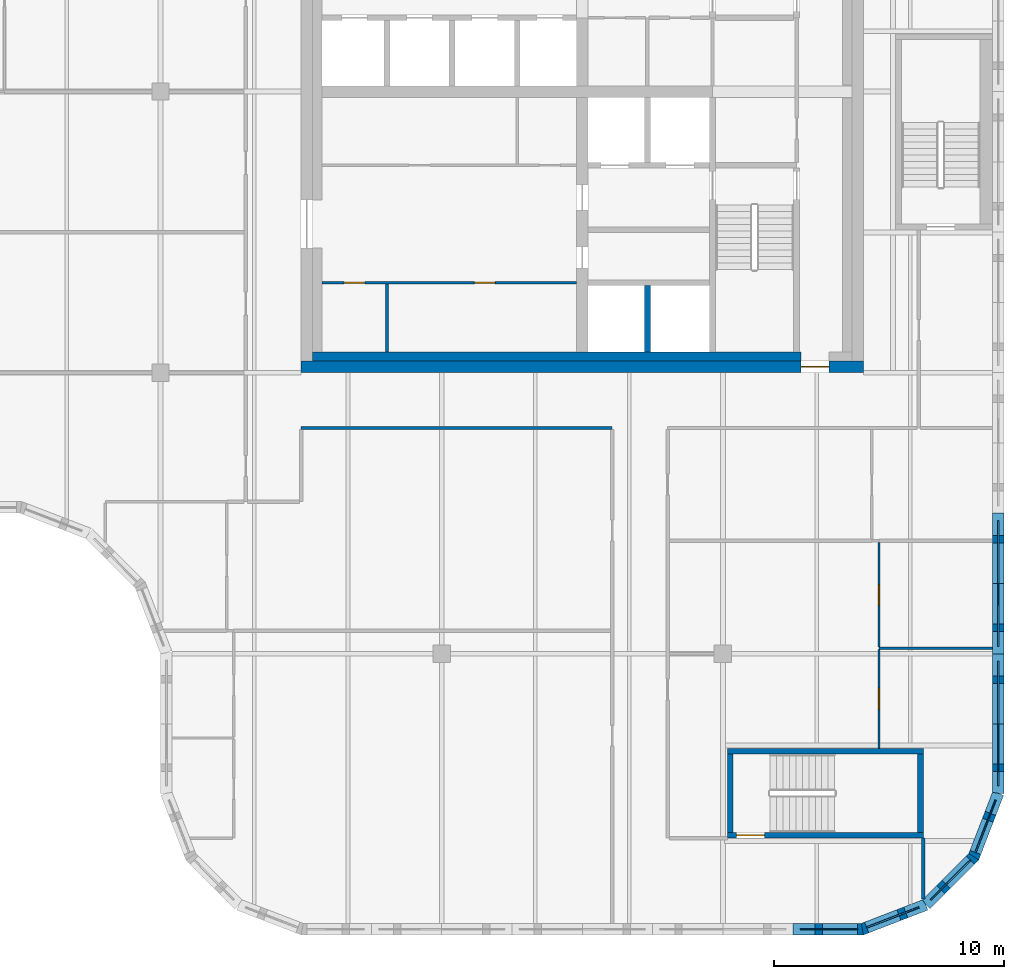
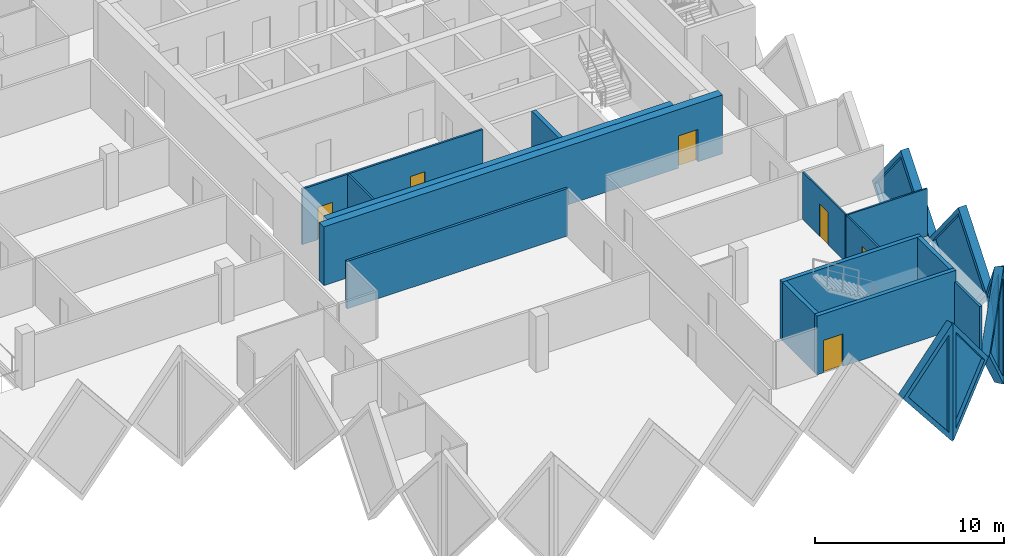
# One storey, part 5 of 12: 20 walls, 6 doors, 6 plates, 12 openings.
"""IFC4 building model written with IfcOpenShell, lengths in metres."""

from ifc_helpers import new_model, si_unit, direction, frame, frame_2d, origin, place, context, subcontext, project, spatial, polyline, rectangle, outline, extrude, faceted_brep, source, transform, mapped, material, layer, layer_set, type_object, element, fill, save


model = new_model("IFC4")

# Units and contexts
model_context = context("Model", 3, precision=1e-05, world=origin(), true_north=direction((0.0, 1.0)))
body_context = subcontext(model_context, "Body", "Model", "MODEL_VIEW")
ifc_project = project(units=[si_unit("LENGTHUNIT", "METRE"), si_unit("AREAUNIT", "SQUARE_METRE"), si_unit("VOLUMEUNIT", "CUBIC_METRE"), si_unit("PLANEANGLEUNIT", "RADIAN"), si_unit("MASSUNIT", "GRAM", prefix="KILO")], contexts=[model_context])

# Site, building, storey
site_placement = place(None, origin())
site = spatial("IfcSite", under=ifc_project, at=site_placement, CompositionType="ELEMENT")
building_placement = place(site_placement, origin())
building = spatial("IfcBuilding", under=site, at=building_placement, Name="Tessera Gate Towers", CompositionType="ELEMENT")
storey_placement = place(building_placement, frame((0.0, 0.0, 213.10009765625)))
storey = spatial("IfcBuildingStorey", under=building, at=storey_placement, Name="L53", CompositionType="ELEMENT", Elevation=213.10009765625)

# Wall
ifc_material_1 = material(Name="Concrete C40/50", Category="concrete")
ifc_layer_1 = layer(ifc_material_1, 0.25)
ifc_layer_set_1 = layer_set([ifc_layer_1], Name="CORE ENCLOSURE WALL 250")
wall_type_1 = type_object("IfcWallType", Name="CORE ENCLOSURE WALL 250", PredefinedType="SOLIDWALL", material=ifc_layer_set_1)
wall_1_placement = place(storey_placement, frame((45.52490234375, 25.300048828125, 0.0), z_axis=(0.0, 0.0, 1.0), x_axis=(0.0, 1.0, 0.0)))
element("IfcWall", 1, at=wall_1_placement, inside=storey, type_object=wall_type_1, Name="L53 shaft and stair enclosure wall", PredefinedType="SOLIDWALL", context=body_context, shape_type="SweptSolid", body=[
    extrude(rectangle(XDim=2.875, YDim=0.25, at=frame_2d((1.4375, 0.0))), origin(), (0.0, 0.0, 1.0), 3.7998046875),
])

# Wall, opening, door
wall_2_placement = place(storey_placement, frame((57.5, 4.324951171875, 0.0), z_axis=(0.0, 0.0, 1.0), x_axis=(-1.0, 0.0, 0.0)))
wall_2 = element("IfcWall", 2, at=wall_2_placement, inside=storey, type_object=wall_type_1, Name="L53 ST4 enclosure wall", PredefinedType="SOLIDWALL", context=body_context, shape_type="SweptSolid", body=[
    extrude(rectangle(XDim=8.5, YDim=0.25, at=frame_2d((4.25, 0.0))), origin(), (0.0, 0.0, 1.0), 3.7998046875),
])
shared_shape_1 = source(origin(), body_context, "Body", "SweptSolid", [
    extrude(rectangle(XDim=1.199951171875, YDim=2.10009765625, at=frame_2d((0.60009765625, 1.050048828125))), frame((0.0, 0.135009765625, 0.0), z_axis=(0.0, -1.0, 0.0), x_axis=(1.0, 0.0, 0.0)), (0.0, 0.0, 1.0), 0.27001953125),
])
opening_1_placement = place(wall_2_placement, frame((6.89990234375, 0.0, 0.0)))
opening_1 = element("IfcOpeningElement", 3, at=opening_1_placement, cuts=wall_2, Name="Opening SD-ST4-1", PredefinedType="OPENING", context=body_context, shape_type="MappedRepresentation", body=[
    mapped(shared_shape_1, transform((0.0, 0.0, 0.0), scale=1.0)),
])
ifc_material_2 = material(Name="Hollow steel fire door", Category="steel")
door_type_1 = type_object("IfcDoorType", Name="CORE DOOR SD 1200x2100", OperationType="NOTDEFINED", PredefinedType="DOOR", material=ifc_material_2)
shared_shape_2 = source(origin(), body_context, "Body", "SweptSolid", [
    extrude(rectangle(XDim=1.199951171875, YDim=2.10009765625, at=frame_2d((0.60009765625, 1.050048828125))), frame((0.0, 0.02490234375, 0.0), z_axis=(0.0, -1.0, 0.0), x_axis=(1.0, 0.0, 0.0)), (0.0, 0.0, 1.0), 0.050048828125),
])
door_1_placement = place(opening_1_placement, origin())
door_1 = element("IfcDoor", 4, at=door_1_placement, inside=storey, type_object=door_type_1, Name="Stair door", OperationType="SINGLE_SWING_RIGHT", OverallHeight=2.10009765625, OverallWidth=1.199951171875, PredefinedType="DOOR", context=body_context, shape_type="MappedRepresentation", body=[
    mapped(shared_shape_2, transform((0.0, 0.0, 0.0), scale=1.0)),
])
fill(opening_1, door_1)

# Walls
wall_3_placement = place(storey_placement, frame((49.125, 4.449951171875, 0.0), z_axis=(0.0, 0.0, 1.0), x_axis=(0.0, 1.0, 0.0)))
element("IfcWall", 5, at=wall_3_placement, inside=storey, type_object=wall_type_1, Name="L53 ST4 enclosure wall", PredefinedType="SOLIDWALL", context=body_context, shape_type="SweptSolid", body=[
    extrude(rectangle(XDim=3.400146484375, YDim=0.25, at=frame_2d((1.7001953125, 0.0))), origin(), (0.0, 0.0, 1.0), 3.7998046875),
])
wall_4_placement = place(storey_placement, frame((49.0, 7.97509765625, 0.0), z_axis=(0.0, 0.0, 1.0), x_axis=(1.0, 0.0, 0.0)))
element("IfcWall", 6, at=wall_4_placement, inside=storey, type_object=wall_type_1, Name="L53 ST4 enclosure wall", PredefinedType="SOLIDWALL", context=body_context, shape_type="SweptSolid", body=[
    extrude(rectangle(XDim=8.5, YDim=0.25, at=frame_2d((4.25, 0.0))), origin(), (0.0, 0.0, 1.0), 3.7998046875),
])
wall_5_placement = place(storey_placement, frame((57.375, 7.85009765625, 0.0), z_axis=(0.0, 0.0, 1.0), x_axis=(0.0, -1.0, 0.0)))
element("IfcWall", 7, at=wall_5_placement, inside=storey, type_object=wall_type_1, Name="L53 ST4 enclosure wall", PredefinedType="SOLIDWALL", context=body_context, shape_type="SweptSolid", body=[
    extrude(rectangle(XDim=3.400146484375, YDim=0.25, at=frame_2d((1.7001953125, 0.0))), origin(), (0.0, 0.0, 1.0), 3.7998046875),
])

# Wall, openings, doors
ifc_material_3 = material(Name="Gypsum board on steel studs", Category="steel")
ifc_layer_2 = layer(ifc_material_3, 0.1201171875)
ifc_layer_set_2 = layer_set([ifc_layer_2], Name="CORE PARTITION 120")
wall_type_2 = type_object("IfcWallType", Name="CORE PARTITION 120", PredefinedType="PARTITIONING", material=ifc_layer_set_2)
wall_6_placement = place(storey_placement, frame((42.449951171875, 28.300048828125, 0.0), z_axis=(0.0, 0.0, 1.0), x_axis=(-1.0, 0.0, 0.0)))
wall_6 = element("IfcWall", 8, at=wall_6_placement, inside=storey, type_object=wall_type_2, Name="L53 core partition", PredefinedType="PARTITIONING", context=body_context, shape_type="SweptSolid", body=[
    extrude(rectangle(XDim=11.050048828125, YDim=0.1201171875, at=frame_2d((5.52490234375, 0.0))), origin(), (0.0, 0.0, 1.0), 3.599853515625),
])
shared_shape_3 = source(origin(), body_context, "Body", "SweptSolid", [
    extrude(rectangle(XDim=0.89990234375, YDim=2.10009765625, at=frame_2d((0.449951171875, 1.050048828125))), frame((0.0, 0.070068359375, 0.0), z_axis=(0.0, -1.0, 0.0), x_axis=(1.0, 0.0, 0.0)), (0.0, 0.0, 1.0), 0.14013671875),
])
opening_2_placement = place(wall_6_placement, frame((9.1875, 0.0, 0.0)))
opening_2 = element("IfcOpeningElement", 9, at=opening_2_placement, cuts=wall_6, Name="Opening RD-T1-32-07", PredefinedType="OPENING", context=body_context, shape_type="MappedRepresentation", body=[
    mapped(shared_shape_3, transform((0.0, 0.0, 0.0), scale=1.0)),
])
opening_3_placement = place(wall_6_placement, frame((3.53759765625, 0.0, 0.0)))
opening_3 = element("IfcOpeningElement", 10, at=opening_3_placement, cuts=wall_6, Name="Opening RD-T1-32-08", PredefinedType="OPENING", context=body_context, shape_type="MappedRepresentation", body=[
    mapped(shared_shape_3, transform((0.0, 0.0, 0.0), scale=1.0)),
])
ifc_material_4 = material(Name="Hollow steel fire door", Category="steel")
door_type_2 = type_object("IfcDoorType", Name="CORE DOOR RD 900x2100", OperationType="NOTDEFINED", PredefinedType="DOOR", material=ifc_material_4)
shared_shape_4 = source(origin(), body_context, "Body", "SweptSolid", [
    extrude(rectangle(XDim=0.89990234375, YDim=2.10009765625, at=frame_2d((0.449951171875, 1.050048828125))), frame((0.0, 0.02490234375, 0.0), z_axis=(0.0, -1.0, 0.0), x_axis=(1.0, 0.0, 0.0)), (0.0, 0.0, 1.0), 0.050048828125),
])
door_2_placement = place(opening_2_placement, origin())
door_2 = element("IfcDoor", 11, at=door_2_placement, inside=storey, type_object=door_type_2, Name="Core room door", OperationType="SINGLE_SWING_RIGHT", OverallHeight=2.10009765625, OverallWidth=0.89990234375, PredefinedType="DOOR", context=body_context, shape_type="MappedRepresentation", body=[
    mapped(shared_shape_4, transform((0.0, 0.0, 0.0), scale=1.0)),
])
fill(opening_2, door_2)
door_3_placement = place(opening_3_placement, origin())
door_3 = element("IfcDoor", 12, at=door_3_placement, inside=storey, type_object=door_type_2, Name="Core room door", OperationType="SINGLE_SWING_LEFT", OverallHeight=2.10009765625, OverallWidth=0.89990234375, PredefinedType="DOOR", context=body_context, shape_type="MappedRepresentation", body=[
    mapped(shared_shape_4, transform((0.0, 0.0, 0.0), scale=1.0)),
])
fill(opening_3, door_3)

# Wall
wall_7_placement = place(storey_placement, frame((34.22509765625, 25.300048828125, 0.0), z_axis=(0.0, 0.0, 1.0), x_axis=(0.0, 1.0, 0.0)))
element("IfcWall", 13, at=wall_7_placement, inside=storey, type_object=wall_type_2, Name="L53 core partition", PredefinedType="PARTITIONING", context=body_context, shape_type="SweptSolid", body=[
    extrude(rectangle(XDim=2.93994140625, YDim=0.1201171875, at=frame_2d((1.469970703125, 0.0))), origin(), (0.0, 0.0, 1.0), 3.599853515625),
])

# Wall, opening, door
ifc_material_5 = material(Name="Concrete C50/60", Category="concrete")
ifc_layer_3 = layer(ifc_material_5, 0.5)
ifc_layer_set_3 = layer_set([ifc_layer_3], Name="CORE SHEAR WALL 500 C50/60")
wall_type_3 = type_object("IfcWallType", Name="CORE SHEAR WALL 500 C50/60", PredefinedType="SHEAR", material=ifc_layer_set_3)
wall_8_placement = place(storey_placement, frame((54.89990234375, 24.64990234375, 0.0), z_axis=(0.0, 0.0, 1.0), x_axis=(-1.0, 0.0, 0.0)))
wall_8 = element("IfcWall", 14, at=wall_8_placement, inside=storey, type_object=wall_type_3, Name="Core wall S L53", PredefinedType="SHEAR", context=body_context, shape_type="SweptSolid", body=[
    extrude(rectangle(XDim=24.39990234375, YDim=0.5, at=frame_2d((12.199951171875, 0.0))), origin(), (0.0, 0.0, 1.0), 3.7998046875),
])
shared_shape_5 = source(origin(), body_context, "Body", "SweptSolid", [
    extrude(rectangle(XDim=1.199951171875, YDim=2.10009765625, at=frame_2d((0.60009765625, 1.050048828125))), frame((0.0, 0.260009765625, 0.0), z_axis=(0.0, -1.0, 0.0), x_axis=(1.0, 0.0, 0.0)), (0.0, 0.0, 1.0), 0.52001953125),
])
opening_4_placement = place(wall_8_placement, frame((1.5, 0.0, 0.0)))
opening_4 = element("IfcOpeningElement", 15, at=opening_4_placement, cuts=wall_8, Name="Opening ED-T1-32-01", PredefinedType="OPENING", context=body_context, shape_type="MappedRepresentation", body=[
    mapped(shared_shape_5, transform((0.0, 0.0, 0.0), scale=1.0)),
])
ifc_material_6 = material(Name="Hollow steel fire door", Category="steel")
door_type_3 = type_object("IfcDoorType", Name="CORE DOOR ED 1200x2100", OperationType="NOTDEFINED", PredefinedType="DOOR", material=ifc_material_6)
door_4_placement = place(opening_4_placement, origin())
door_4 = element("IfcDoor", 16, at=door_4_placement, inside=storey, type_object=door_type_3, Name="Core exit door", OperationType="SINGLE_SWING_LEFT", OverallHeight=2.10009765625, OverallWidth=1.199951171875, PredefinedType="DOOR", context=body_context, shape_type="MappedRepresentation", body=[
    mapped(shared_shape_2, transform((0.0, 0.0, 0.0), scale=1.0)),
])
fill(opening_4, door_4)

# Walls
ifc_material_7 = material(Name="Concrete C50/60", Category="concrete")
ifc_layer_4 = layer(ifc_material_7, 0.39990234375)
ifc_layer_set_4 = layer_set([ifc_layer_4], Name="CORE WALL THICKENING 400")
wall_type_4 = type_object("IfcWallType", Name="CORE WALL THICKENING 400", PredefinedType="SOLIDWALL", material=ifc_layer_set_4)
wall_9_placement = place(storey_placement, frame((31.0, 25.10009765625, 0.0), z_axis=(0.0, 0.0, 1.0), x_axis=(1.0, 0.0, 0.0)))
element("IfcWall", 17, at=wall_9_placement, inside=storey, type_object=wall_type_4, Name="Core wall thickening S L53", PredefinedType="SOLIDWALL", context=body_context, shape_type="SweptSolid", body=[
    extrude(rectangle(XDim=21.199951171875, YDim=0.39990234375, at=frame_2d((10.60009765625, 0.0))), origin(), (0.0, 0.0, 1.0), 3.7998046875),
])
ifc_material_8 = material(Name="Gypsum board on steel studs, mineral wool", Category="steel")
ifc_layer_5 = layer(ifc_material_8, 0.14990234375)
ifc_layer_set_5 = layer_set([ifc_layer_5], Name="CORRIDOR WALL 150")
wall_type_5 = type_object("IfcWallType", Name="CORRIDOR WALL 150", PredefinedType="PARTITIONING", material=ifc_layer_set_5)
wall_10_placement = place(storey_placement, frame((57.5, 1.55908203125, 0.0), z_axis=(0.0, 0.0, 1.0), x_axis=(0.0, 1.0, 0.0)))
element("IfcWall", 18, at=wall_10_placement, inside=storey, type_object=wall_type_5, Name="T1-L53-PW-002", PredefinedType="PARTITIONING", context=body_context, shape_type="SweptSolid", body=[
    extrude(rectangle(XDim=2.640869140625, YDim=0.14990234375, at=frame_2d((1.3203125, 0.0))), origin(), (0.0, 0.0, 1.0), 3.06689453125),
])
wall_11_placement = place(storey_placement, frame((30.5, 22.0, 0.0), z_axis=(0.0, 0.0, 1.0), x_axis=(1.0, 0.0, 0.0)))
element("IfcWall", 19, at=wall_11_placement, inside=storey, type_object=wall_type_5, Name="T1-L53-PW-028", PredefinedType="PARTITIONING", context=body_context, shape_type="SweptSolid", body=[
    extrude(rectangle(XDim=13.5, YDim=0.14990234375, at=frame_2d((6.75, 0.0))), origin(), (0.0, 0.0, 1.0), 3.06689453125),
])

# Wall, opening, door
ifc_material_9 = material(Name="Gypsum board on steel studs", Category="steel")
ifc_layer_6 = layer(ifc_material_9, 0.10009765625)
ifc_layer_set_6 = layer_set([ifc_layer_6], Name="PARTITION 100")
wall_type_6 = type_object("IfcWallType", Name="PARTITION 100", PredefinedType="PARTITIONING", material=ifc_layer_set_6)
wall_12_placement = place(storey_placement, frame((55.574951171875, 12.396728515625, 0.0), z_axis=(0.0, 0.0, 1.0), x_axis=(0.0, -1.0, 0.0)))
wall_12 = element("IfcWall", 20, at=wall_12_placement, inside=storey, type_object=wall_type_6, Name="T1-L53-PW-007", PredefinedType="PARTITIONING", context=body_context, shape_type="SweptSolid", body=[
    extrude(rectangle(XDim=4.296630859375, YDim=0.10009765625, at=frame_2d((2.1484375, 0.0))), origin(), (0.0, 0.0, 1.0), 3.06689453125),
])
shared_shape_6 = source(origin(), body_context, "Body", "SweptSolid", [
    extrude(rectangle(XDim=0.89990234375, YDim=2.10009765625, at=frame_2d((0.449951171875, 1.050048828125))), frame((0.0, 0.06005859375, 0.0), z_axis=(0.0, -1.0, 0.0), x_axis=(1.0, 0.0, 0.0)), (0.0, 0.0, 1.0), 0.1201171875),
])
opening_5_placement = place(wall_12_placement, frame((1.69677734375, 0.0, 0.0)))
opening_5 = element("IfcOpeningElement", 21, at=opening_5_placement, cuts=wall_12, Name="Opening D190-A19-01", PredefinedType="OPENING", context=body_context, shape_type="MappedRepresentation", body=[
    mapped(shared_shape_6, transform((0.0, 0.0, 0.0), scale=1.0)),
])
ifc_material_10 = material(Name="Timber door leaf in steel frame", Category="steel")
door_type_4 = type_object("IfcDoorType", Name="INTERNAL DOOR 900 NOT RATED", OperationType="NOTDEFINED", PredefinedType="DOOR", material=ifc_material_10)
door_5_placement = place(opening_5_placement, origin())
door_5 = element("IfcDoor", 22, at=door_5_placement, inside=storey, type_object=door_type_4, Name="T1-L53-PD-002", OperationType="SINGLE_SWING_RIGHT", OverallHeight=2.10009765625, OverallWidth=0.89990234375, PredefinedType="DOOR", context=body_context, shape_type="MappedRepresentation", body=[
    mapped(shared_shape_4, transform((0.0, 0.0, 0.0), scale=1.0)),
])
fill(opening_5, door_5)

# Wall
wall_13_placement = place(storey_placement, frame((55.574951171875, 12.447998046875, 0.0), z_axis=(0.0, 0.0, 1.0), x_axis=(1.0, 0.0, 0.0)))
element("IfcWall", 23, at=wall_13_placement, inside=storey, type_object=wall_type_6, Name="T1-L53-PW-011", PredefinedType="PARTITIONING", context=body_context, shape_type="SweptSolid", body=[
    extrude(rectangle(XDim=4.925048828125, YDim=0.10009765625, at=frame_2d((2.46240234375, 0.0))), origin(), (0.0, 0.0, 1.0), 3.06689453125),
])

# Wall, opening, door
wall_14_placement = place(storey_placement, frame((55.574951171875, 17.02392578125, 0.0), z_axis=(0.0, 0.0, 1.0), x_axis=(0.0, -1.0, 0.0)))
wall_14 = element("IfcWall", 24, at=wall_14_placement, inside=storey, type_object=wall_type_6, Name="T1-L53-PW-012", PredefinedType="PARTITIONING", context=body_context, shape_type="SweptSolid", body=[
    extrude(rectangle(XDim=4.525146484375, YDim=0.10009765625, at=frame_2d((2.2626953125, 0.0))), origin(), (0.0, 0.0, 1.0), 3.06689453125),
])
opening_6_placement = place(wall_14_placement, frame((1.8251953125, 0.0, 0.0)))
opening_6 = element("IfcOpeningElement", 25, at=opening_6_placement, cuts=wall_14, Name="Opening D190-A19-02", PredefinedType="OPENING", context=body_context, shape_type="MappedRepresentation", body=[
    mapped(shared_shape_6, transform((0.0, 0.0, 0.0), scale=1.0)),
])
door_6_placement = place(opening_6_placement, origin())
door_6 = element("IfcDoor", 26, at=door_6_placement, inside=storey, type_object=door_type_4, Name="T1-L53-PD-004", OperationType="SINGLE_SWING_RIGHT", OverallHeight=2.10009765625, OverallWidth=0.89990234375, PredefinedType="DOOR", context=body_context, shape_type="MappedRepresentation", body=[
    mapped(shared_shape_4, transform((0.0, 0.0, 0.0), scale=1.0)),
])
fill(opening_6, door_6)

# Wall, opening, plate
ifc_material_11 = material(Name="Precast concrete C60/75 white", Category="concrete")
ifc_layer_7 = layer(ifc_material_11, 0.5)
ifc_layer_set_7 = layer_set([ifc_layer_7], Name="TS1 tessera")
wall_type_7 = type_object("IfcWallType", Name="TS1 tessera", PredefinedType="SOLIDWALL", material=ifc_layer_set_7)
shared_shape_7 = source(origin(), body_context, "Body", "Brep", [
    faceted_brep([(3.00341796875, -0.25, 0.0), (6.053466796875, -0.25, 3.800048828125), (3.00341796875, -0.25, 7.599853515625), (0.0, -0.25, 3.800048828125), (0.046630859375, 0.25, 3.85888671875), (3.00341796875, 0.25, 7.599853515625), (6.053466796875, 0.25, 3.800048828125), (3.00341796875, 0.25, 0.0), (0.046630859375, 0.25, 3.7412109375), (0.0, 0.0, 3.800048828125)], [[[0, 1, 2, 3]], [[4, 5, 6, 7, 8]], [[7, 6, 1, 0]], [[6, 5, 2, 1]], [[5, 4, 9, 3, 2]], [[8, 7, 0, 3, 9]], [[8, 9, 4]]]),
])
wall_15_placement = place(storey_placement, frame((60.75, 6.146484375, -3.800048828125), z_axis=(0.0, 0.0, 1.0), x_axis=(0.0, 1.0, 0.0)))
wall_15 = element("IfcWall", 27, at=wall_15_placement, inside=storey, type_object=wall_type_7, Name="Precast tessera T1 TS1-0923", PredefinedType="SOLIDWALL", context=body_context, shape_type="MappedRepresentation", body=[
    mapped(shared_shape_7, transform((0.0, 0.0, 0.0), scale=1.0)),
])
shared_shape_8 = source(origin(), body_context, "Body", "SweptSolid", [
    extrude(outline(polyline([(3.0048828125, 0.401123046875), (5.73291015625, 3.800048828125), (3.0048828125, 7.19873046875), (0.318603515625, 3.800048828125), (3.0048828125, 0.401123046875)])), frame((0.0, 0.260009765625, 0.0), z_axis=(0.0, -1.0, 0.0), x_axis=(1.0, 0.0, 0.0)), (0.0, 0.0, 1.0), 0.52001953125),
])
opening_7_placement = place(wall_15_placement, origin())
opening_7 = element("IfcOpeningElement", 28, at=opening_7_placement, cuts=wall_15, Name="Opening T1-PL2-1889", PredefinedType="OPENING", context=body_context, shape_type="MappedRepresentation", body=[
    mapped(shared_shape_8, transform((0.0, 0.0, 0.0), scale=1.0)),
])
ifc_material_12 = material(Name="Low-e laminated glass", Category="glass")
ifc_layer_8 = layer(ifc_material_12, 0.06005859375)
ifc_layer_set_8 = layer_set([ifc_layer_8], Name="PL2 rhombic pane")
plate_type = type_object("IfcPlateType", Name="PL2 rhombic pane", PredefinedType="SHEET", material=ifc_layer_set_8)
shared_shape_9 = source(origin(), body_context, "Body", "SweptSolid", [
    extrude(outline(polyline([(3.0048828125, 0.401123046875), (5.73291015625, 3.800048828125), (3.0048828125, 7.19873046875), (0.318603515625, 3.800048828125), (3.0048828125, 0.401123046875)])), frame((0.0, 0.030029296875, 0.0), z_axis=(0.0, -1.0, 0.0), x_axis=(1.0, 0.0, 0.0)), (0.0, 0.0, 1.0), 0.06005859375),
])
plate_1_placement = place(opening_7_placement, origin())
plate_1 = element("IfcPlate", 29, at=plate_1_placement, inside=storey, type_object=plate_type, Name="Glass pane T1 PL2-1889", PredefinedType="SHEET", context=body_context, shape_type="MappedRepresentation", body=[
    mapped(shared_shape_9, transform((0.0, 0.0, 0.0), scale=1.0)),
])
fill(opening_7, plate_1)

shared_shape_10 = source(origin(), body_context, "Body", "SweptSolid", [
    extrude(outline(polyline([(3.050048828125, 0.0), (6.10009765625, 3.800048828125), (3.050048828125, 7.599853515625), (0.0, 3.800048828125), (3.050048828125, 0.0)])), frame((0.0, 0.25, 0.0), z_axis=(0.0, -1.0, 0.0), x_axis=(1.0, 0.0, 0.0)), (0.0, 0.0, 1.0), 0.5),
])
wall_16_placement = place(storey_placement, frame((60.75, 12.199951171875, -3.800048828125), z_axis=(0.0, 0.0, 1.0), x_axis=(0.0, 1.0, 0.0)))
wall_16 = element("IfcWall", 30, at=wall_16_placement, inside=storey, type_object=wall_type_7, Name="Precast tessera T1 TS1-0924", PredefinedType="SOLIDWALL", context=body_context, shape_type="MappedRepresentation", body=[
    mapped(shared_shape_10, transform((0.0, 0.0, 0.0), scale=1.0)),
])
shared_shape_11 = source(origin(), body_context, "Body", "SweptSolid", [
    extrude(outline(polyline([(3.050048828125, 0.3994140625), (5.779541015625, 3.800048828125), (3.050048828125, 7.200439453125), (0.320556640625, 3.800048828125), (3.050048828125, 0.3994140625)])), frame((0.0, 0.260009765625, 0.0), z_axis=(0.0, -1.0, 0.0), x_axis=(1.0, 0.0, 0.0)), (0.0, 0.0, 1.0), 0.52001953125),
])
opening_8_placement = place(wall_16_placement, origin())
opening_8 = element("IfcOpeningElement", 31, at=opening_8_placement, cuts=wall_16, Name="Opening T1-PL2-1890", PredefinedType="OPENING", context=body_context, shape_type="MappedRepresentation", body=[
    mapped(shared_shape_11, transform((0.0, 0.0, 0.0), scale=1.0)),
])
shared_shape_12 = source(origin(), body_context, "Body", "SweptSolid", [
    extrude(outline(polyline([(3.050048828125, 0.3994140625), (5.779541015625, 3.800048828125), (3.050048828125, 7.200439453125), (0.320556640625, 3.800048828125), (3.050048828125, 0.3994140625)])), frame((0.0, 0.030029296875, 0.0), z_axis=(0.0, -1.0, 0.0), x_axis=(1.0, 0.0, 0.0)), (0.0, 0.0, 1.0), 0.06005859375),
])
plate_2_placement = place(opening_8_placement, origin())
plate_2 = element("IfcPlate", 32, at=plate_2_placement, inside=storey, type_object=plate_type, Name="Glass pane T1 PL2-1890", PredefinedType="SHEET", context=body_context, shape_type="MappedRepresentation", body=[
    mapped(shared_shape_12, transform((0.0, 0.0, 0.0), scale=1.0)),
])
fill(opening_8, plate_2)

ifc_material_13 = material(Name="Precast concrete C60/75 white", Category="concrete")
ifc_layer_9 = layer(ifc_material_13, 0.5)
ifc_layer_set_9 = layer_set([ifc_layer_9], Name="TS3 corner tessera")
wall_type_8 = type_object("IfcWallType", Name="TS3 corner tessera", PredefinedType="SOLIDWALL", material=ifc_layer_set_9)
shared_shape_13 = source(origin(), body_context, "Body", "Brep", [
    faceted_brep([(3.00341796875, -0.25, 0.0), (3.050048828125, -0.25, 0.06005859375), (3.050048828125, -0.25, 7.539794921875), (3.00341796875, -0.25, 7.599853515625), (0.0, -0.25, 3.800048828125), (0.0, 0.25, 3.800048828125), (2.956787109375, 0.25, 7.541015625), (2.956787109375, 0.25, 0.058837890625), (3.00341796875, 0.000244140625, 0.0), (3.00341796875, 0.000244140625, 7.599853515625)], [[[0, 1, 2, 3, 4]], [[5, 6, 7]], [[1, 0, 8]], [[9, 3, 2]], [[6, 5, 4, 3, 9]], [[5, 7, 8, 0, 4]], [[1, 8, 7, 6, 9, 2]]]),
])
wall_17_placement = place(storey_placement, frame((51.85009765625, 0.25, -3.800048828125), z_axis=(0.0, 0.0, 1.0), x_axis=(1.0, 0.0, 0.0)))
wall_17 = element("IfcWall", 33, at=wall_17_placement, inside=storey, type_object=wall_type_8, Name="Precast corner tessera T1 TS3-1227", PredefinedType="SOLIDWALL", context=body_context, shape_type="MappedRepresentation", body=[
    mapped(shared_shape_13, transform((0.0, 0.0, 0.0), scale=1.0)),
])
shared_shape_14 = source(origin(), body_context, "Body", "SweptSolid", [
    extrude(outline(polyline([(2.803466796875, 6.94384765625), (0.318603515625, 3.800048828125), (2.803466796875, 0.65625), (2.803466796875, 6.94384765625)])), frame((0.0, 0.260009765625, 0.0), z_axis=(0.0, -1.0, 0.0), x_axis=(1.0, 0.0, 0.0)), (0.0, 0.0, 1.0), 0.52001953125),
])
opening_9_placement = place(wall_17_placement, origin())
opening_9 = element("IfcOpeningElement", 34, at=opening_9_placement, cuts=wall_17, Name="Opening T1-PL2-1885", PredefinedType="OPENING", context=body_context, shape_type="MappedRepresentation", body=[
    mapped(shared_shape_14, transform((0.0, 0.0, 0.0), scale=1.0)),
])
shared_shape_15 = source(origin(), body_context, "Body", "SweptSolid", [
    extrude(outline(polyline([(2.803466796875, 6.94384765625), (0.318603515625, 3.800048828125), (2.803466796875, 0.65625), (2.803466796875, 6.94384765625)])), frame((0.0, 0.030029296875, 0.0), z_axis=(0.0, -1.0, 0.0), x_axis=(1.0, 0.0, 0.0)), (0.0, 0.0, 1.0), 0.06005859375),
])
plate_3_placement = place(opening_9_placement, origin())
plate_3 = element("IfcPlate", 35, at=plate_3_placement, inside=storey, type_object=plate_type, Name="Glass pane T1 PL2-1885", PredefinedType="SHEET", context=body_context, shape_type="MappedRepresentation", body=[
    mapped(shared_shape_15, transform((0.0, 0.0, 0.0), scale=1.0)),
])
fill(opening_9, plate_3)

shared_shape_16 = source(origin(), body_context, "Body", "Brep", [
    faceted_brep([(0.046630859375, -0.25, 0.0), (2.9970703125, -0.25, 3.800048828125), (0.046630859375, -0.25, 7.599853515625), (0.0, -0.25, 7.541015625), (0.0, -0.25, 0.058837890625), (0.09326171875, 0.25, 7.539794921875), (2.9443359375, 0.25, 3.8681640625), (2.9443359375, 0.25, 3.73193359375), (0.09326171875, 0.25, 0.06005859375), (2.9970703125, 0.00048828125, 3.800048828125), (0.046630859375, 0.0, 0.0), (0.046630859375, 0.0, 7.599853515625)], [[[0, 1, 2, 3, 4]], [[5, 6, 7, 8]], [[8, 7, 9, 1, 0, 10]], [[6, 5, 11, 2, 1, 9]], [[3, 2, 11]], [[10, 0, 4]], [[8, 10, 4, 3, 11, 5]], [[7, 6, 9]]]),
])
wall_18_placement = place(storey_placement, frame((54.81005859375, 0.233154296875, -3.800048828125), z_axis=(0.0, 0.0, 1.0), x_axis=(0.932990326376, 0.359901446078, 0.0)))
wall_18 = element("IfcWall", 36, at=wall_18_placement, inside=storey, type_object=wall_type_8, Name="Precast corner tessera T1 TS3-1228", PredefinedType="SOLIDWALL", context=body_context, shape_type="MappedRepresentation", body=[
    mapped(shared_shape_16, transform((0.0, 0.0, 0.0), scale=1.0)),
])
shared_shape_17 = source(origin(), body_context, "Body", "SweptSolid", [
    extrude(outline(polyline([(0.24658203125, 0.665283203125), (2.6806640625, 3.800048828125), (0.24658203125, 6.934814453125), (0.24658203125, 0.665283203125)])), frame((0.0, 0.260009765625, 0.0), z_axis=(0.0, -1.0, 0.0), x_axis=(1.0, 0.0, 0.0)), (0.0, 0.0, 1.0), 0.52001953125),
])
opening_10_placement = place(wall_18_placement, origin())
opening_10 = element("IfcOpeningElement", 37, at=opening_10_placement, cuts=wall_18, Name="Opening T1-PL2-1886", PredefinedType="OPENING", context=body_context, shape_type="MappedRepresentation", body=[
    mapped(shared_shape_17, transform((0.0, 0.0, 0.0), scale=1.0)),
])
shared_shape_18 = source(origin(), body_context, "Body", "SweptSolid", [
    extrude(outline(polyline([(0.24658203125, 0.665283203125), (2.6806640625, 3.800048828125), (0.24658203125, 6.934814453125), (0.24658203125, 0.665283203125)])), frame((0.0, 0.030029296875, 0.0), z_axis=(0.0, -1.0, 0.0), x_axis=(1.0, 0.0, 0.0)), (0.0, 0.0, 1.0), 0.06005859375),
])
plate_4_placement = place(opening_10_placement, origin())
plate_4 = element("IfcPlate", 38, at=plate_4_placement, inside=storey, type_object=plate_type, Name="Glass pane T1 PL2-1886", PredefinedType="SHEET", context=body_context, shape_type="MappedRepresentation", body=[
    mapped(shared_shape_18, transform((0.0, 0.0, 0.0), scale=1.0)),
])
fill(opening_10, plate_4)

shared_shape_19 = source(origin(), body_context, "Body", "Brep", [
    faceted_brep([(2.944091796875, -0.25, 0.0), (2.9970703125, -0.25, 0.068115234375), (2.9970703125, -0.25, 7.53173828125), (2.944091796875, -0.25, 7.599853515625), (0.0, -0.25, 3.800048828125), (0.052978515625, 0.25, 3.868408203125), (2.89111328125, 0.25, 7.53173828125), (2.89111328125, 0.25, 0.068115234375), (0.052978515625, 0.25, 3.731689453125), (2.944091796875, 0.000244140625, 0.0), (2.944091796875, 0.000244140625, 7.599853515625), (0.0, 0.0, 3.800048828125)], [[[0, 1, 2, 3, 4]], [[5, 6, 7, 8]], [[1, 0, 9]], [[10, 3, 2]], [[6, 5, 11, 4, 3, 10]], [[8, 7, 9, 0, 4, 11]], [[8, 11, 5]], [[1, 9, 7, 6, 10, 2]]]),
])
wall_19_placement = place(storey_placement, frame((57.606201171875, 1.31201171875, -3.800048828125), z_axis=(0.0, 0.0, 1.0), x_axis=(0.707147509625, 0.707066050402, 0.0)))
wall_19 = element("IfcWall", 39, at=wall_19_placement, inside=storey, type_object=wall_type_8, Name="Precast corner tessera T1 TS3-1229", PredefinedType="SOLIDWALL", context=body_context, shape_type="MappedRepresentation", body=[
    mapped(shared_shape_19, transform((0.0, 0.0, 0.0), scale=1.0)),
])
shared_shape_20 = source(origin(), body_context, "Body", "SweptSolid", [
    extrude(outline(polyline([(2.744140625, 6.93359375), (0.316162109375, 3.800048828125), (2.744140625, 0.666259765625), (2.744140625, 6.93359375)])), frame((0.0, 0.260009765625, 0.0), z_axis=(0.0, -1.0, 0.0), x_axis=(1.0, 0.0, 0.0)), (0.0, 0.0, 1.0), 0.52001953125),
])
opening_11_placement = place(wall_19_placement, origin())
opening_11 = element("IfcOpeningElement", 40, at=opening_11_placement, cuts=wall_19, Name="Opening T1-PL2-1887", PredefinedType="OPENING", context=body_context, shape_type="MappedRepresentation", body=[
    mapped(shared_shape_20, transform((0.0, 0.0, 0.0), scale=1.0)),
])
shared_shape_21 = source(origin(), body_context, "Body", "SweptSolid", [
    extrude(outline(polyline([(2.744140625, 6.93359375), (0.316162109375, 3.800048828125), (2.744140625, 0.666259765625), (2.744140625, 6.93359375)])), frame((0.0, 0.030029296875, 0.0), z_axis=(0.0, -1.0, 0.0), x_axis=(1.0, 0.0, 0.0)), (0.0, 0.0, 1.0), 0.06005859375),
])
plate_5_placement = place(opening_11_placement, origin())
plate_5 = element("IfcPlate", 41, at=plate_5_placement, inside=storey, type_object=plate_type, Name="Glass pane T1 PL2-1887", PredefinedType="SHEET", context=body_context, shape_type="MappedRepresentation", body=[
    mapped(shared_shape_21, transform((0.0, 0.0, 0.0), scale=1.0)),
])
fill(opening_11, plate_5)

shared_shape_22 = source(origin(), body_context, "Body", "Brep", [
    faceted_brep([(0.052978515625, -0.25, 0.0), (3.00341796875, -0.25, 3.800048828125), (0.052978515625, -0.25, 7.599853515625), (0.0, -0.25, 7.531494140625), (0.0, -0.25, 0.068359375), (0.10595703125, 0.25, 7.53173828125), (2.95703125, 0.25, 3.85986328125), (2.95703125, 0.25, 3.740234375), (0.10595703125, 0.25, 0.068115234375), (3.00341796875, 0.00048828125, 3.800048828125), (0.052978515625, 0.0, 0.0), (0.052978515625, 0.0, 7.599853515625)], [[[0, 1, 2, 3, 4]], [[5, 6, 7, 8]], [[8, 7, 9, 1, 0, 10]], [[6, 5, 11, 2, 1, 9]], [[3, 2, 11]], [[10, 0, 4]], [[8, 10, 4, 3, 11, 5]], [[7, 6, 9]]]),
])
wall_20_placement = place(storey_placement, frame((59.6689453125, 3.34423828125, -3.800048828125), z_axis=(0.0, 0.0, 1.0), x_axis=(0.35992665181, 0.932980602862, 0.0)))
wall_20 = element("IfcWall", 42, at=wall_20_placement, inside=storey, type_object=wall_type_8, Name="Precast corner tessera T1 TS3-1230", PredefinedType="SOLIDWALL", context=body_context, shape_type="MappedRepresentation", body=[
    mapped(shared_shape_22, transform((0.0, 0.0, 0.0), scale=1.0)),
])
shared_shape_23 = source(origin(), body_context, "Body", "SweptSolid", [
    extrude(outline(polyline([(0.2529296875, 0.665283203125), (2.68701171875, 3.800048828125), (0.2529296875, 6.934814453125), (0.2529296875, 0.665283203125)])), frame((0.0, 0.260009765625, 0.0), z_axis=(0.0, -1.0, 0.0), x_axis=(1.0, 0.0, 0.0)), (0.0, 0.0, 1.0), 0.52001953125),
])
opening_12_placement = place(wall_20_placement, origin())
opening_12 = element("IfcOpeningElement", 43, at=opening_12_placement, cuts=wall_20, Name="Opening T1-PL2-1888", PredefinedType="OPENING", context=body_context, shape_type="MappedRepresentation", body=[
    mapped(shared_shape_23, transform((0.0, 0.0, 0.0), scale=1.0)),
])
shared_shape_24 = source(origin(), body_context, "Body", "SweptSolid", [
    extrude(outline(polyline([(0.2529296875, 0.665283203125), (2.68701171875, 3.800048828125), (0.2529296875, 6.934814453125), (0.2529296875, 0.665283203125)])), frame((0.0, 0.030029296875, 0.0), z_axis=(0.0, -1.0, 0.0), x_axis=(1.0, 0.0, 0.0)), (0.0, 0.0, 1.0), 0.06005859375),
])
plate_6_placement = place(opening_12_placement, origin())
plate_6 = element("IfcPlate", 44, at=plate_6_placement, inside=storey, type_object=plate_type, Name="Glass pane T1 PL2-1888", PredefinedType="SHEET", context=body_context, shape_type="MappedRepresentation", body=[
    mapped(shared_shape_24, transform((0.0, 0.0, 0.0), scale=1.0)),
])
fill(opening_12, plate_6)

save(model, "model.ifc")
